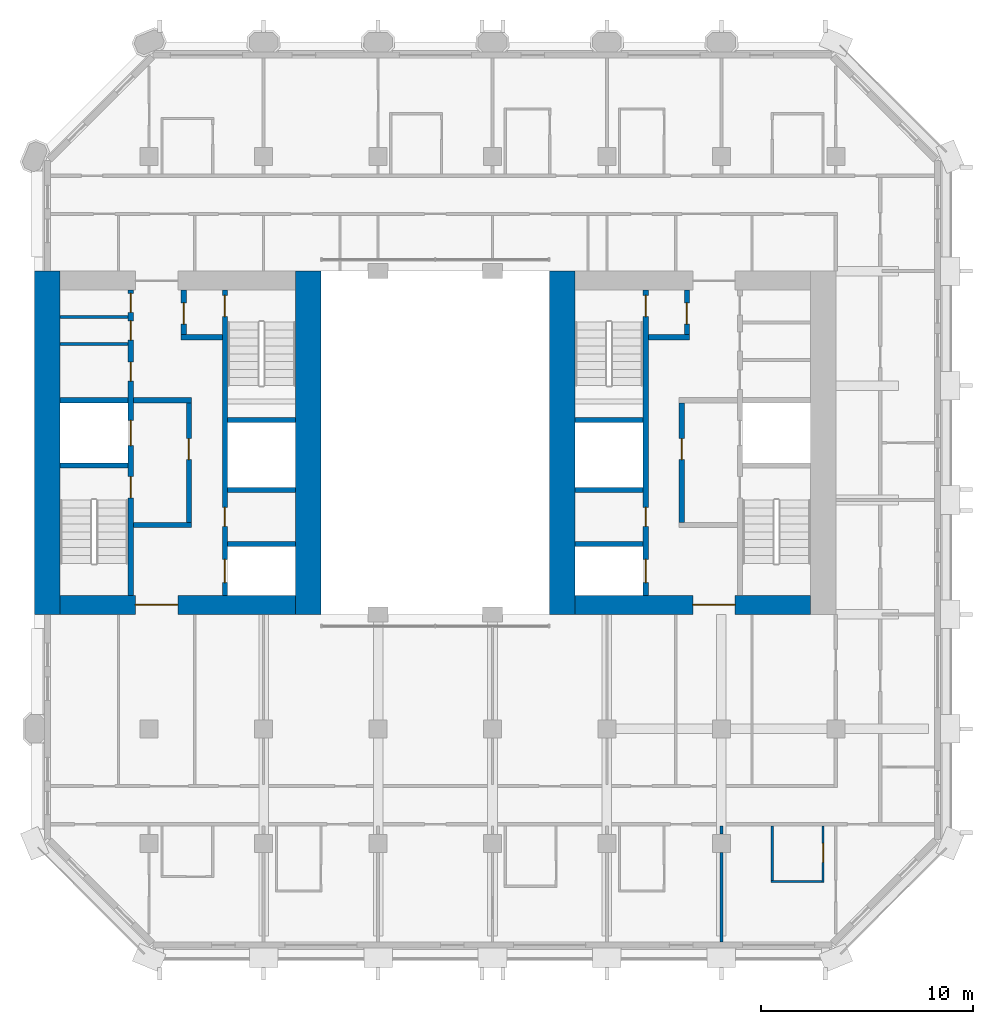
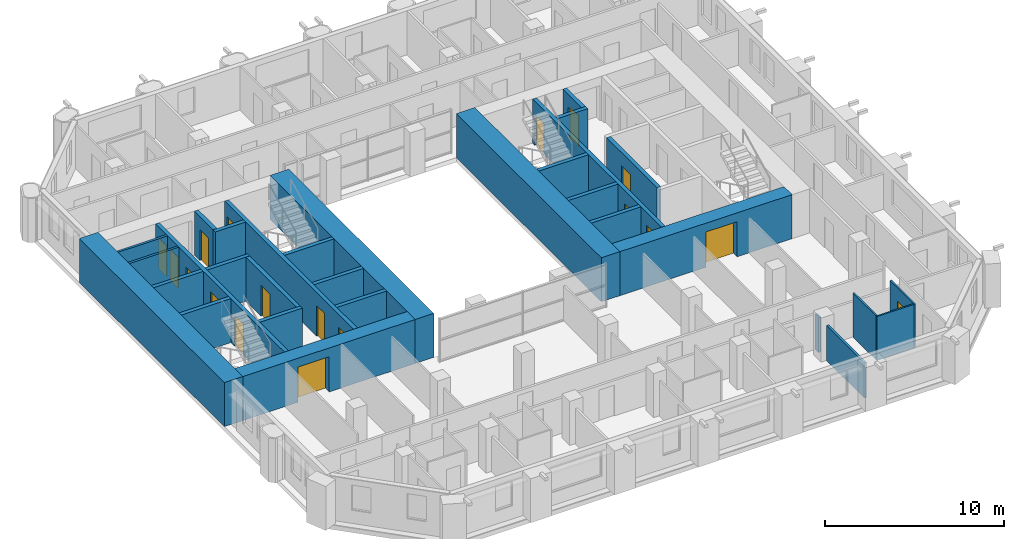
# One storey, part 7 of 13: 31 walls, 18 doors, 18 openings.
"""IFC4 building model written with IfcOpenShell, lengths in metres."""

from ifc_helpers import new_model, si_unit, direction, frame, frame_2d, origin, place, context, subcontext, project, spatial, rectangle, extrude, material, layer, layer_set, type_object, element, fill, save


model = new_model("IFC4")

# Units and contexts
model_context = context("Model", 3, precision=1e-05, world=origin(), true_north=direction((0.0, 1.0)))
body_context = subcontext(model_context, "Body", "Model", "MODEL_VIEW")
ifc_project = project(units=[si_unit("LENGTHUNIT", "METRE"), si_unit("AREAUNIT", "SQUARE_METRE"), si_unit("VOLUMEUNIT", "CUBIC_METRE"), si_unit("PLANEANGLEUNIT", "RADIAN"), si_unit("MASSUNIT", "GRAM", prefix="KILO")], contexts=[model_context])

# Site, building, storey
site_placement = place(None, origin())
site = spatial("IfcSite", under=ifc_project, at=site_placement, CompositionType="ELEMENT")
building_placement = place(site_placement, origin())
building = spatial("IfcBuilding", under=site, at=building_placement, Name="Tabaq Tower and Sports Hall", CompositionType="ELEMENT")
storey_placement = place(building_placement, frame((0.0, 0.0, 162.699951171875)))
storey = spatial("IfcBuildingStorey", under=building, at=storey_placement, Name="L38", CompositionType="ELEMENT", Elevation=162.699951171875)

# Walls
ifc_material_1 = material(Name="Blockwork", Category="masonry")
ifc_layer_1 = layer(ifc_material_1, 0.14990234375)
ifc_layer_set_1 = layer_set([ifc_layer_1], Name="Core room partition 150 Blockwork")
wall_type_1 = type_object("IfcWallType", Name="Core room partition 150 Blockwork", PredefinedType="PARTITIONING", material=ifc_layer_set_1)
for number, where, z_axis, x_axis, name in (
    (1, (6.60009765625, 28.962890625, 0.0), (0.0, 0.0, 1.0), (1.0, 0.0, 0.0), "Core room partition W L38"),
    (2, (6.60009765625, 30.23193359375, 0.0), (0.0, 0.0, 1.0), (1.0, 0.0, 0.0), "Core room partition W L38"),
):
    element("IfcWall", number, at=place(storey_placement, frame(where, z_axis=z_axis, x_axis=x_axis)), inside=storey, type_object=wall_type_1, Name=name, PredefinedType="PARTITIONING", context=body_context, shape_type="SweptSolid", body=[
        extrude(rectangle(XDim=3.199951171875, YDim=0.14990234375, at=frame_2d((1.60009765625, 0.0))), origin(), (0.0, 0.0, 1.0), 3.0),
    ])
ifc_material_2 = material(Name="Concrete C50/60", Category="concrete")
ifc_layer_2 = layer(ifc_material_2, 1.199951171875)
ifc_layer_set_2 = layer_set([ifc_layer_2], Name="Core wall 1200 Concrete C50/60")
wall_type_2 = type_object("IfcWallType", Name="Core wall 1200 Concrete C50/60", PredefinedType="SOLIDWALL", material=ifc_layer_set_2)
for number, where, z_axis, x_axis, name in (
    (3, (6.0, 16.199951171875, 0.0), (0.0, 0.0, 1.0), (0.0, 1.0, 0.0), "Core wall W L38"),
    (4, (18.300048828125, 32.39990234375, 0.0), (0.0, 0.0, 1.0), (0.0, -1.0, 0.0), "Core wall W L38"),
    (5, (30.300048828125, 16.199951171875, 0.0), (0.0, 0.0, 1.0), (0.0, 1.0, 0.0), "Core wall E L38"),
):
    element("IfcWall", number, at=place(storey_placement, frame(where, z_axis=z_axis, x_axis=x_axis)), inside=storey, type_object=wall_type_2, Name=name, PredefinedType="SOLIDWALL", context=body_context, shape_type="SweptSolid", body=[
        extrude(rectangle(XDim=16.199951171875, YDim=1.199951171875, at=frame_2d((8.10009765625, 0.0))), origin(), (0.0, 0.0, 1.0), 3.0),
    ])

# Wall, opening, door
ifc_material_3 = material(Name="Concrete C50/60", Category="concrete")
ifc_layer_3 = layer(ifc_material_3, 0.89990234375)
ifc_layer_set_3 = layer_set([ifc_layer_3], Name="Core wall 900 Concrete C50/60")
wall_type_3 = type_object("IfcWallType", Name="Core wall 900 Concrete C50/60", PredefinedType="SOLIDWALL", material=ifc_layer_set_3)
wall_1_placement = place(storey_placement, frame((17.699951171875, 16.64990234375, 0.0), z_axis=(0.0, 0.0, 1.0), x_axis=(-1.0, 0.0, 0.0)))
wall_1 = element("IfcWall", 6, at=wall_1_placement, inside=storey, type_object=wall_type_3, Name="Core wall W L38", PredefinedType="SOLIDWALL", context=body_context, shape_type="SweptSolid", body=[
    extrude(rectangle(XDim=11.099853515625, YDim=0.89990234375, at=frame_2d((5.5498046875, 0.0))), origin(), (0.0, 0.0, 1.0), 3.0),
])
opening_1_placement = place(wall_1_placement, frame((5.550048828125, 0.0, 0.0)))
opening_1 = element("IfcOpeningElement", 7, at=opening_1_placement, cuts=wall_1, Name="Opening PD-WL38-01", PredefinedType="OPENING", context=body_context, shape_type="SweptSolid", body=[
    extrude(rectangle(XDim=2.0, YDim=2.39990234375, at=frame_2d((1.0, 1.199951171875))), frame((0.0, 0.449951171875, 0.0), z_axis=(0.0, -1.0, 0.0), x_axis=(1.0, 0.0, 0.0)), (0.0, 0.0, 1.0), 0.89990234375),
])
ifc_material_4 = material(Name="Steel fire door", Category="steel")
door_type_1 = type_object("IfcDoorType", Name="Core entrance door 2000", OperationType="DOUBLE_DOOR_SINGLE_SWING", PredefinedType="DOOR", material=ifc_material_4)
door_1_placement = place(opening_1_placement, origin())
door_1 = element("IfcDoor", 8, at=door_1_placement, inside=storey, type_object=door_type_1, Name="Core entrance south W L38", OperationType="DOUBLE_DOOR_SINGLE_SWING", OverallHeight=2.39990234375, OverallWidth=2.0, PredefinedType="DOOR", context=body_context, shape_type="SweptSolid", body=[
    extrude(rectangle(XDim=2.0, YDim=2.39990234375, at=frame_2d((1.0, 1.199951171875))), frame((0.0, 0.02490234375, 0.0), z_axis=(0.0, -1.0, 0.0), x_axis=(1.0, 0.0, 0.0)), (0.0, 0.0, 1.0), 0.050048828125),
])
fill(opening_1, door_1)

wall_2_placement = place(storey_placement, frame((42.0, 16.64990234375, 0.0), z_axis=(0.0, 0.0, 1.0), x_axis=(-1.0, 0.0, 0.0)))
wall_2 = element("IfcWall", 9, at=wall_2_placement, inside=storey, type_object=wall_type_3, Name="Core wall E L38", PredefinedType="SOLIDWALL", context=body_context, shape_type="SweptSolid", body=[
    extrude(rectangle(XDim=11.10009765625, YDim=0.89990234375, at=frame_2d((5.550048828125, 0.0))), origin(), (0.0, 0.0, 1.0), 3.0),
])
opening_2_placement = place(wall_2_placement, frame((3.550048828125, 0.0, 0.0)))
opening_2 = element("IfcOpeningElement", 10, at=opening_2_placement, cuts=wall_2, Name="Opening PD-EL38-01", PredefinedType="OPENING", context=body_context, shape_type="SweptSolid", body=[
    extrude(rectangle(XDim=2.0, YDim=2.39990234375, at=frame_2d((1.0, 1.199951171875))), frame((0.0, 0.449951171875, 0.0), z_axis=(0.0, -1.0, 0.0), x_axis=(1.0, 0.0, 0.0)), (0.0, 0.0, 1.0), 0.89990234375),
])
door_2_placement = place(opening_2_placement, origin())
door_2 = element("IfcDoor", 11, at=door_2_placement, inside=storey, type_object=door_type_1, Name="Core entrance south E L38", OperationType="DOUBLE_DOOR_SINGLE_SWING", OverallHeight=2.39990234375, OverallWidth=2.0, PredefinedType="DOOR", context=body_context, shape_type="SweptSolid", body=[
    extrude(rectangle(XDim=2.0, YDim=2.39990234375, at=frame_2d((1.0, 1.199951171875))), frame((0.0, 0.02490234375, 0.0), z_axis=(0.0, -1.0, 0.0), x_axis=(1.0, 0.0, 0.0)), (0.0, 0.0, 1.0), 0.050048828125),
])
fill(opening_2, door_2)

ifc_material_5 = material(Name="Gypsum board on steel studs", Category="steel")
ifc_layer_4 = layer(ifc_material_5, 0.10009765625)
ifc_layer_set_4 = layer_set([ifc_layer_4], Name="Partition 100 Gypsum board")
wall_type_4 = type_object("IfcWallType", Name="Partition 100 Gypsum board", PredefinedType="PARTITIONING", material=ifc_layer_set_4)
wall_3_placement = place(storey_placement, frame((42.60009765625, 6.22509765625, 0.0), z_axis=(0.0, 0.0, 1.0), x_axis=(0.0, -1.0, 0.0)))
wall_3 = element("IfcWall", 12, at=wall_3_placement, inside=storey, type_object=wall_type_4, Name="Partition wall L38", PredefinedType="PARTITIONING", context=body_context, shape_type="SweptSolid", body=[
    extrude(rectangle(XDim=2.675048828125, YDim=0.10009765625, at=frame_2d((1.33740234375, 0.0))), origin(), (0.0, 0.0, 1.0), 3.0),
])
opening_3_placement = place(wall_3_placement, frame((0.824951171875, 0.0, 0.0)))
opening_3 = element("IfcOpeningElement", 13, at=opening_3_placement, cuts=wall_3, Name="Opening L38-020", PredefinedType="OPENING", context=body_context, shape_type="SweptSolid", body=[
    extrude(rectangle(XDim=0.89990234375, YDim=2.10009765625, at=frame_2d((0.449951171875, 1.050048828125))), frame((0.0, 0.050048828125, 0.0), z_axis=(0.0, -1.0, 0.0), x_axis=(1.0, 0.0, 0.0)), (0.0, 0.0, 1.0), 0.10009765625),
])
ifc_material_6 = material(Name="Timber leaf in steel frame", Category="steel")
door_type_2 = type_object("IfcDoorType", Name="Internal door 900 left hand", OperationType="SINGLE_SWING_LEFT", PredefinedType="DOOR", material=ifc_material_6)
door_3_placement = place(opening_3_placement, origin())
door_3 = element("IfcDoor", 14, at=door_3_placement, inside=storey, type_object=door_type_2, Name="Internal door L38-020", OperationType="SINGLE_SWING_LEFT", OverallHeight=2.10009765625, OverallWidth=0.89990234375, PredefinedType="DOOR", context=body_context, shape_type="SweptSolid", body=[
    extrude(rectangle(XDim=0.89990234375, YDim=2.10009765625, at=frame_2d((0.449951171875, 1.050048828125))), frame((0.0, 0.02490234375, 0.0), z_axis=(0.0, -1.0, 0.0), x_axis=(1.0, 0.0, 0.0)), (0.0, 0.0, 1.0), 0.050048828125),
])
fill(opening_3, door_3)

# Walls
wall_4_placement = place(storey_placement, frame((42.550048828125, 3.60009765625, 0.0), z_axis=(0.0, 0.0, 1.0), x_axis=(-1.0, 0.0, 0.0)))
element("IfcWall", 15, at=wall_4_placement, inside=storey, type_object=wall_type_4, Name="Partition wall L38", PredefinedType="PARTITIONING", context=body_context, shape_type="SweptSolid", body=[
    extrude(rectangle(XDim=2.400146484375, YDim=0.10009765625, at=frame_2d((1.2001953125, 0.0))), origin(), (0.0, 0.0, 1.0), 3.0),
])
wall_5_placement = place(storey_placement, frame((40.199951171875, 3.64990234375, 0.0), z_axis=(0.0, 0.0, 1.0), x_axis=(0.0, 1.0, 0.0)))
element("IfcWall", 16, at=wall_5_placement, inside=storey, type_object=wall_type_4, Name="Partition wall L38", PredefinedType="PARTITIONING", context=body_context, shape_type="SweptSolid", body=[
    extrude(rectangle(XDim=2.5751953125, YDim=0.10009765625, at=frame_2d((1.28759765625, 0.0))), origin(), (0.0, 0.0, 1.0), 3.0),
])
ifc_material_7 = material(Name="Blockwork", Category="masonry")
ifc_layer_5 = layer(ifc_material_7, 0.14990234375)
ifc_layer_set_5 = layer_set([ifc_layer_5], Name="Separating wall 150 Blockwork")
wall_type_5 = type_object("IfcWallType", Name="Separating wall 150 Blockwork", PredefinedType="PARTITIONING", material=ifc_layer_set_5)
wall_6_placement = place(storey_placement, frame((37.800048828125, 0.7509765625, 0.0), z_axis=(0.0, 0.0, 1.0), x_axis=(0.0, 1.0, 0.0)))
element("IfcWall", 17, at=wall_6_placement, inside=storey, type_object=wall_type_5, Name="Separating wall L38", PredefinedType="PARTITIONING", context=body_context, shape_type="SweptSolid", body=[
    extrude(rectangle(XDim=4.2041015625, YDim=0.14990234375, at=frame_2d((2.10205078125, 0.0))), origin(), (0.0, 0.0, 1.0), 2.400146484375),
])
wall_7_placement = place(storey_placement, frame((37.800048828125, 5.844970703125, 0.0), z_axis=(0.0, 0.0, 1.0), x_axis=(0.0, 1.0, 0.0)))
element("IfcWall", 18, at=wall_7_placement, inside=storey, type_object=wall_type_5, Name="Separating wall L38", PredefinedType="PARTITIONING", context=body_context, shape_type="SweptSolid", body=[
    extrude(rectangle(XDim=0.380126953125, YDim=0.14990234375, at=frame_2d((0.18994140625, 0.0))), origin(), (0.0, 0.0, 1.0), 2.400146484375),
])

# Wall, openings, doors
ifc_material_8 = material(Name="Concrete C40/50", Category="concrete")
ifc_layer_6 = layer(ifc_material_8, 0.25)
ifc_layer_set_6 = layer_set([ifc_layer_6], Name="Shaft and stair wall 250 Concrete C40/50")
wall_type_6 = type_object("IfcWallType", Name="Shaft and stair wall 250 Concrete C40/50", PredefinedType="SOLIDWALL", material=ifc_layer_set_6)
wall_8_placement = place(storey_placement, frame((9.925048828125, 17.10009765625, 0.0), z_axis=(0.0, 0.0, 1.0), x_axis=(0.0, 1.0, 0.0)))
wall_8 = element("IfcWall", 19, at=wall_8_placement, inside=storey, type_object=wall_type_6, Name="Shaft wall W L38", PredefinedType="SOLIDWALL", context=body_context, shape_type="SweptSolid", body=[
    extrude(rectangle(XDim=14.39990234375, YDim=0.25, at=frame_2d((7.199951171875, 0.0))), origin(), (0.0, 0.0, 1.0), 3.0),
])
opening_4_placement = place(wall_8_placement, frame((4.60009765625, 0.0, 0.0)))
opening_4 = element("IfcOpeningElement", 20, at=opening_4_placement, cuts=wall_8, Name="Opening SD-WL38-03", PredefinedType="OPENING", context=body_context, shape_type="SweptSolid", body=[
    extrude(rectangle(XDim=1.0, YDim=2.10009765625, at=frame_2d((0.5, 1.050048828125))), frame((0.0, 0.125, 0.0), z_axis=(0.0, -1.0, 0.0), x_axis=(1.0, 0.0, 0.0)), (0.0, 0.0, 1.0), 0.25),
])
opening_5_placement = place(wall_8_placement, frame((7.0625, 0.0, 0.0)))
opening_5 = element("IfcOpeningElement", 21, at=opening_5_placement, cuts=wall_8, Name="Opening LD-FF1-L38", PredefinedType="OPENING", context=body_context, shape_type="SweptSolid", body=[
    extrude(rectangle(XDim=1.199951171875, YDim=2.10009765625, at=frame_2d((0.60009765625, 1.050048828125))), frame((0.0, 0.125, 0.0), z_axis=(0.0, -1.0, 0.0), x_axis=(1.0, 0.0, 0.0)), (0.0, 0.0, 1.0), 0.25),
])
opening_6_placement = place(wall_8_placement, frame((10.1064453125, 0.0, 0.0)))
opening_6 = element("IfcOpeningElement", 22, at=opening_6_placement, cuts=wall_8, Name="Opening RD-WL38-09", PredefinedType="OPENING", context=body_context, shape_type="SweptSolid", body=[
    extrude(rectangle(XDim=0.89990234375, YDim=2.10009765625, at=frame_2d((0.449951171875, 1.050048828125))), frame((0.0, 0.125, 0.0), z_axis=(0.0, -1.0, 0.0), x_axis=(1.0, 0.0, 0.0)), (0.0, 0.0, 1.0), 0.25),
])
opening_7_placement = place(wall_8_placement, frame((12.047607421875, 0.0, 0.0)))
opening_7 = element("IfcOpeningElement", 23, at=opening_7_placement, cuts=wall_8, Name="Opening RD-WL38-10", PredefinedType="OPENING", context=body_context, shape_type="SweptSolid", body=[
    extrude(rectangle(XDim=0.89990234375, YDim=2.10009765625, at=frame_2d((0.449951171875, 1.050048828125))), frame((0.0, 0.125, 0.0), z_axis=(0.0, -1.0, 0.0), x_axis=(1.0, 0.0, 0.0)), (0.0, 0.0, 1.0), 0.25),
])
opening_8_placement = place(wall_8_placement, frame((13.353515625, 0.0, 0.0)))
opening_8 = element("IfcOpeningElement", 24, at=opening_8_placement, cuts=wall_8, Name="Opening RD-WL38-11", PredefinedType="OPENING", context=body_context, shape_type="SweptSolid", body=[
    extrude(rectangle(XDim=0.89990234375, YDim=2.10009765625, at=frame_2d((0.449951171875, 1.050048828125))), frame((0.0, 0.125, 0.0), z_axis=(0.0, -1.0, 0.0), x_axis=(1.0, 0.0, 0.0)), (0.0, 0.0, 1.0), 0.25),
])
ifc_material_9 = material(Name="Steel fire door", Category="steel")
door_type_3 = type_object("IfcDoorType", Name="Core room door 900", OperationType="SINGLE_SWING_LEFT", PredefinedType="DOOR", material=ifc_material_9)
door_4_placement = place(opening_6_placement, origin())
door_4 = element("IfcDoor", 25, at=door_4_placement, inside=storey, type_object=door_type_3, Name="Door Unisex WC W L38", OperationType="SINGLE_SWING_LEFT", OverallHeight=2.10009765625, OverallWidth=0.89990234375, PredefinedType="DOOR", context=body_context, shape_type="SweptSolid", body=[
    extrude(rectangle(XDim=0.89990234375, YDim=2.10009765625, at=frame_2d((0.449951171875, 1.050048828125))), frame((0.0, 0.02490234375, 0.0), z_axis=(0.0, -1.0, 0.0), x_axis=(1.0, 0.0, 0.0)), (0.0, 0.0, 1.0), 0.050048828125),
])
fill(opening_6, door_4)
door_5_placement = place(opening_7_placement, origin())
door_5 = element("IfcDoor", 26, at=door_5_placement, inside=storey, type_object=door_type_3, Name="Door Cleaner's Store W L38", OperationType="SINGLE_SWING_LEFT", OverallHeight=2.10009765625, OverallWidth=0.89990234375, PredefinedType="DOOR", context=body_context, shape_type="SweptSolid", body=[
    extrude(rectangle(XDim=0.89990234375, YDim=2.10009765625, at=frame_2d((0.449951171875, 1.050048828125))), frame((0.0, 0.02490234375, 0.0), z_axis=(0.0, -1.0, 0.0), x_axis=(1.0, 0.0, 0.0)), (0.0, 0.0, 1.0), 0.050048828125),
])
fill(opening_7, door_5)
door_6_placement = place(opening_8_placement, origin())
door_6 = element("IfcDoor", 27, at=door_6_placement, inside=storey, type_object=door_type_3, Name="Door Accessible WC W L38", OperationType="SINGLE_SWING_LEFT", OverallHeight=2.10009765625, OverallWidth=0.89990234375, PredefinedType="DOOR", context=body_context, shape_type="SweptSolid", body=[
    extrude(rectangle(XDim=0.89990234375, YDim=2.10009765625, at=frame_2d((0.449951171875, 1.050048828125))), frame((0.0, 0.02490234375, 0.0), z_axis=(0.0, -1.0, 0.0), x_axis=(1.0, 0.0, 0.0)), (0.0, 0.0, 1.0), 0.050048828125),
])
fill(opening_8, door_6)
ifc_material_10 = material(Name="Stainless steel", Category="steel")
door_type_4 = type_object("IfcDoorType", Name="Lift landing door 1200", OperationType="DOUBLE_DOOR_SLIDING", PredefinedType="DOOR", material=ifc_material_10)
door_7_placement = place(opening_5_placement, origin())
door_7 = element("IfcDoor", 28, at=door_7_placement, inside=storey, type_object=door_type_4, Name="Lift landing door FF1 W L38", OperationType="DOUBLE_DOOR_SLIDING", OverallHeight=2.10009765625, OverallWidth=1.199951171875, PredefinedType="DOOR", context=body_context, shape_type="SweptSolid", body=[
    extrude(rectangle(XDim=1.199951171875, YDim=2.10009765625, at=frame_2d((0.60009765625, 1.050048828125))), frame((0.0, 0.02490234375, 0.0), z_axis=(0.0, -1.0, 0.0), x_axis=(1.0, 0.0, 0.0)), (0.0, 0.0, 1.0), 0.050048828125),
])
fill(opening_5, door_7)
ifc_material_11 = material(Name="Steel fire door", Category="steel")
door_type_5 = type_object("IfcDoorType", Name="Stair door 1000", OperationType="SINGLE_SWING_LEFT", PredefinedType="DOOR", material=ifc_material_11)
door_8_placement = place(opening_4_placement, origin())
door_8 = element("IfcDoor", 29, at=door_8_placement, inside=storey, type_object=door_type_5, Name="Stair door ST1 W L38", OperationType="SINGLE_SWING_LEFT", OverallHeight=2.10009765625, OverallWidth=1.0, PredefinedType="DOOR", context=body_context, shape_type="SweptSolid", body=[
    extrude(rectangle(XDim=1.0, YDim=2.10009765625, at=frame_2d((0.5, 1.050048828125))), frame((0.0, 0.02490234375, 0.0), z_axis=(0.0, -1.0, 0.0), x_axis=(1.0, 0.0, 0.0)), (0.0, 0.0, 1.0), 0.050048828125),
])
fill(opening_4, door_8)

wall_9_placement = place(storey_placement, frame((14.375, 17.10009765625, 0.0), z_axis=(0.0, 0.0, 1.0), x_axis=(0.0, 1.0, 0.0)))
wall_9 = element("IfcWall", 30, at=wall_9_placement, inside=storey, type_object=wall_type_6, Name="Shaft wall W L38", PredefinedType="SOLIDWALL", context=body_context, shape_type="SweptSolid", body=[
    extrude(rectangle(XDim=14.39990234375, YDim=0.25, at=frame_2d((7.199951171875, 0.0))), origin(), (0.0, 0.0, 1.0), 3.0),
])
opening_9_placement = place(wall_9_placement, frame((13.14990234375, 0.0, 0.0)))
opening_9 = element("IfcOpeningElement", 31, at=opening_9_placement, cuts=wall_9, Name="Opening SD-WL38-05", PredefinedType="OPENING", context=body_context, shape_type="SweptSolid", body=[
    extrude(rectangle(XDim=1.0, YDim=2.10009765625, at=frame_2d((0.5, 1.050048828125))), frame((0.0, 0.125, 0.0), z_axis=(0.0, -1.0, 0.0), x_axis=(1.0, 0.0, 0.0)), (0.0, 0.0, 1.0), 0.25),
])
opening_10_placement = place(wall_9_placement, frame((0.60009765625, 0.0, 0.0)))
opening_10 = element("IfcOpeningElement", 32, at=opening_10_placement, cuts=wall_9, Name="Opening LD-MR1-L38", PredefinedType="OPENING", context=body_context, shape_type="SweptSolid", body=[
    extrude(rectangle(XDim=1.10009765625, YDim=2.10009765625, at=frame_2d((0.550048828125, 1.050048828125))), frame((0.0, 0.125, 0.0), z_axis=(0.0, -1.0, 0.0), x_axis=(1.0, 0.0, 0.0)), (0.0, 0.0, 1.0), 0.25),
])
opening_11_placement = place(wall_9_placement, frame((3.25, 0.0, 0.0)))
opening_11 = element("IfcOpeningElement", 33, at=opening_11_placement, cuts=wall_9, Name="Opening RD-WL38-12", PredefinedType="OPENING", context=body_context, shape_type="SweptSolid", body=[
    extrude(rectangle(XDim=0.89990234375, YDim=2.10009765625, at=frame_2d((0.449951171875, 1.050048828125))), frame((0.0, 0.125, 0.0), z_axis=(0.0, -1.0, 0.0), x_axis=(1.0, 0.0, 0.0)), (0.0, 0.0, 1.0), 0.25),
])
door_9_placement = place(opening_11_placement, origin())
door_9 = element("IfcDoor", 34, at=door_9_placement, inside=storey, type_object=door_type_3, Name="Door Cleaner's Store W L38", OperationType="SINGLE_SWING_LEFT", OverallHeight=2.10009765625, OverallWidth=0.89990234375, PredefinedType="DOOR", context=body_context, shape_type="SweptSolid", body=[
    extrude(rectangle(XDim=0.89990234375, YDim=2.10009765625, at=frame_2d((0.449951171875, 1.050048828125))), frame((0.0, 0.02490234375, 0.0), z_axis=(0.0, -1.0, 0.0), x_axis=(1.0, 0.0, 0.0)), (0.0, 0.0, 1.0), 0.050048828125),
])
fill(opening_11, door_9)
ifc_material_12 = material(Name="Stainless steel", Category="steel")
door_type_6 = type_object("IfcDoorType", Name="Lift landing door 1100", OperationType="DOUBLE_DOOR_SLIDING", PredefinedType="DOOR", material=ifc_material_12)
door_10_placement = place(opening_10_placement, origin())
door_10 = element("IfcDoor", 35, at=door_10_placement, inside=storey, type_object=door_type_6, Name="Lift landing door MR1 W L38", OperationType="DOUBLE_DOOR_SLIDING", OverallHeight=2.10009765625, OverallWidth=1.10009765625, PredefinedType="DOOR", context=body_context, shape_type="SweptSolid", body=[
    extrude(rectangle(XDim=1.10009765625, YDim=2.10009765625, at=frame_2d((0.550048828125, 1.050048828125))), frame((0.0, 0.02490234375, 0.0), z_axis=(0.0, -1.0, 0.0), x_axis=(1.0, 0.0, 0.0)), (0.0, 0.0, 1.0), 0.050048828125),
])
fill(opening_10, door_10)
door_11_placement = place(opening_9_placement, origin())
door_11 = element("IfcDoor", 36, at=door_11_placement, inside=storey, type_object=door_type_5, Name="Stair door ST2 W L38", OperationType="SINGLE_SWING_LEFT", OverallHeight=2.10009765625, OverallWidth=1.0, PredefinedType="DOOR", context=body_context, shape_type="SweptSolid", body=[
    extrude(rectangle(XDim=1.0, YDim=2.10009765625, at=frame_2d((0.5, 1.050048828125))), frame((0.0, 0.02490234375, 0.0), z_axis=(0.0, -1.0, 0.0), x_axis=(1.0, 0.0, 0.0)), (0.0, 0.0, 1.0), 0.050048828125),
])
fill(opening_9, door_11)

# Walls
for number, where, z_axis, x_axis, name in (
    (37, (6.60009765625, 23.22509765625, 0.0), (0.0, 0.0, 1.0), (1.0, 0.0, 0.0), "Stair enclosure wall W L38"),
    (38, (14.5, 25.375, 0.0), (0.0, 0.0, 1.0), (1.0, 0.0, 0.0), "Stair enclosure wall W L38"),
    (39, (14.5, 22.074951171875, 0.0), (0.0, 0.0, 1.0), (1.0, 0.0, 0.0), "Shaft wall W L38"),
    (40, (6.60009765625, 26.300048828125, 0.0), (0.0, 0.0, 1.0), (1.0, 0.0, 0.0), "Shaft wall W L38"),
):
    element("IfcWall", number, at=place(storey_placement, frame(where, z_axis=z_axis, x_axis=x_axis)), inside=storey, type_object=wall_type_6, Name=name, PredefinedType="SOLIDWALL", context=body_context, shape_type="SweptSolid", body=[
        extrude(rectangle(XDim=3.199951171875, YDim=0.25, at=frame_2d((1.60009765625, 0.0))), origin(), (0.0, 0.0, 1.0), 3.0),
    ])
for number, where, z_axis, x_axis, name in (
    (41, (10.050048828125, 26.300048828125, 0.0), (0.0, 0.0, 1.0), (1.0, 0.0, 0.0), "Fire-fighting lobby wall W L38"),
    (42, (10.050048828125, 20.425048828125, 0.0), (0.0, 0.0, 1.0), (1.0, 0.0, 0.0), "Fire-fighting lobby wall W L38"),
):
    element("IfcWall", number, at=place(storey_placement, frame(where, z_axis=z_axis, x_axis=x_axis)), inside=storey, type_object=wall_type_6, Name=name, PredefinedType="SOLIDWALL", context=body_context, shape_type="SweptSolid", body=[
        extrude(rectangle(XDim=2.75, YDim=0.25, at=frame_2d((1.375, 0.0))), origin(), (0.0, 0.0, 1.0), 3.0),
    ])

# Wall, opening, door
wall_10_placement = place(storey_placement, frame((12.425048828125, 29.39990234375, 0.0), z_axis=(0.0, 0.0, 1.0), x_axis=(0.0, 1.0, 0.0)))
wall_10 = element("IfcWall", 43, at=wall_10_placement, inside=storey, type_object=wall_type_6, Name="Fire-fighting lobby wall W L38", PredefinedType="SOLIDWALL", context=body_context, shape_type="SweptSolid", body=[
    extrude(rectangle(XDim=2.10009765625, YDim=0.25, at=frame_2d((1.050048828125, 0.0))), origin(), (0.0, 0.0, 1.0), 3.0),
])
opening_12_placement = place(wall_10_placement, frame((0.5, 0.0, 0.0)))
opening_12 = element("IfcOpeningElement", 44, at=opening_12_placement, cuts=wall_10, Name="Opening FD-WL38-06", PredefinedType="OPENING", context=body_context, shape_type="SweptSolid", body=[
    extrude(rectangle(XDim=1.0, YDim=2.10009765625, at=frame_2d((0.5, 1.050048828125))), frame((0.0, 0.125, 0.0), z_axis=(0.0, -1.0, 0.0), x_axis=(1.0, 0.0, 0.0)), (0.0, 0.0, 1.0), 0.25),
])
ifc_material_13 = material(Name="Steel fire door", Category="steel")
door_type_7 = type_object("IfcDoorType", Name="Fire-fighting lobby door 1000", OperationType="SINGLE_SWING_LEFT", PredefinedType="DOOR", material=ifc_material_13)
door_12_placement = place(opening_12_placement, origin())
door_12 = element("IfcDoor", 45, at=door_12_placement, inside=storey, type_object=door_type_7, Name="Stair lobby door W L38", OperationType="SINGLE_SWING_LEFT", OverallHeight=2.10009765625, OverallWidth=1.0, PredefinedType="DOOR", context=body_context, shape_type="SweptSolid", body=[
    extrude(rectangle(XDim=1.0, YDim=2.10009765625, at=frame_2d((0.5, 1.050048828125))), frame((0.0, 0.02490234375, 0.0), z_axis=(0.0, -1.0, 0.0), x_axis=(1.0, 0.0, 0.0)), (0.0, 0.0, 1.0), 0.050048828125),
])
fill(opening_12, door_12)

# Wall
wall_11_placement = place(storey_placement, frame((12.300048828125, 29.27490234375, 0.0), z_axis=(0.0, 0.0, 1.0), x_axis=(1.0, 0.0, 0.0)))
element("IfcWall", 46, at=wall_11_placement, inside=storey, type_object=wall_type_6, Name="Fire-fighting lobby wall W L38", PredefinedType="SOLIDWALL", context=body_context, shape_type="SweptSolid", body=[
    extrude(rectangle(XDim=1.949951171875, YDim=0.25, at=frame_2d((0.97509765625, 0.0))), origin(), (0.0, 0.0, 1.0), 3.0),
])

# Wall, opening, door
wall_12_placement = place(storey_placement, frame((12.675048828125, 20.550048828125, 0.0), z_axis=(0.0, 0.0, 1.0), x_axis=(0.0, 1.0, 0.0)))
wall_12 = element("IfcWall", 47, at=wall_12_placement, inside=storey, type_object=wall_type_6, Name="Fire-fighting lobby wall W L38", PredefinedType="SOLIDWALL", context=body_context, shape_type="SweptSolid", body=[
    extrude(rectangle(XDim=5.625, YDim=0.25, at=frame_2d((2.8125, 0.0))), origin(), (0.0, 0.0, 1.0), 3.0),
])
opening_13_placement = place(wall_12_placement, frame((2.949951171875, 0.0, 0.0)))
opening_13 = element("IfcOpeningElement", 48, at=opening_13_placement, cuts=wall_12, Name="Opening FD-WL38-04", PredefinedType="OPENING", context=body_context, shape_type="SweptSolid", body=[
    extrude(rectangle(XDim=1.0, YDim=2.10009765625, at=frame_2d((0.5, 1.050048828125))), frame((0.0, 0.125, 0.0), z_axis=(0.0, -1.0, 0.0), x_axis=(1.0, 0.0, 0.0)), (0.0, 0.0, 1.0), 0.25),
])
door_13_placement = place(opening_13_placement, origin())
door_13 = element("IfcDoor", 49, at=door_13_placement, inside=storey, type_object=door_type_7, Name="Fire-fighting lobby door W L38", OperationType="SINGLE_SWING_LEFT", OverallHeight=2.10009765625, OverallWidth=1.0, PredefinedType="DOOR", context=body_context, shape_type="SweptSolid", body=[
    extrude(rectangle(XDim=1.0, YDim=2.10009765625, at=frame_2d((0.5, 1.050048828125))), frame((0.0, 0.02490234375, 0.0), z_axis=(0.0, -1.0, 0.0), x_axis=(1.0, 0.0, 0.0)), (0.0, 0.0, 1.0), 0.050048828125),
])
fill(opening_13, door_13)

# Wall
wall_13_placement = place(storey_placement, frame((14.5, 19.52490234375, 0.0), z_axis=(0.0, 0.0, 1.0), x_axis=(1.0, 0.0, 0.0)))
element("IfcWall", 50, at=wall_13_placement, inside=storey, type_object=wall_type_6, Name="Shaft wall W L38", PredefinedType="SOLIDWALL", context=body_context, shape_type="SweptSolid", body=[
    extrude(rectangle(XDim=3.199951171875, YDim=0.25, at=frame_2d((1.60009765625, 0.0))), origin(), (0.0, 0.0, 1.0), 3.0),
])

# Wall, openings, doors
wall_14_placement = place(storey_placement, frame((34.22509765625, 17.10009765625, 0.0), z_axis=(0.0, 0.0, 1.0), x_axis=(0.0, 1.0, 0.0)))
wall_14 = element("IfcWall", 51, at=wall_14_placement, inside=storey, type_object=wall_type_6, Name="Shaft wall E L38", PredefinedType="SOLIDWALL", context=body_context, shape_type="SweptSolid", body=[
    extrude(rectangle(XDim=14.39990234375, YDim=0.25, at=frame_2d((7.199951171875, 0.0))), origin(), (0.0, 0.0, 1.0), 3.0),
])
opening_14_placement = place(wall_14_placement, frame((13.14990234375, 0.0, 0.0)))
opening_14 = element("IfcOpeningElement", 52, at=opening_14_placement, cuts=wall_14, Name="Opening SD-EL38-05", PredefinedType="OPENING", context=body_context, shape_type="SweptSolid", body=[
    extrude(rectangle(XDim=1.0, YDim=2.10009765625, at=frame_2d((0.5, 1.050048828125))), frame((0.0, 0.125, 0.0), z_axis=(0.0, -1.0, 0.0), x_axis=(1.0, 0.0, 0.0)), (0.0, 0.0, 1.0), 0.25),
])
opening_15_placement = place(wall_14_placement, frame((0.60009765625, 0.0, 0.0)))
opening_15 = element("IfcOpeningElement", 53, at=opening_15_placement, cuts=wall_14, Name="Opening LD-MR2-L38", PredefinedType="OPENING", context=body_context, shape_type="SweptSolid", body=[
    extrude(rectangle(XDim=1.10009765625, YDim=2.10009765625, at=frame_2d((0.550048828125, 1.050048828125))), frame((0.0, 0.125, 0.0), z_axis=(0.0, -1.0, 0.0), x_axis=(1.0, 0.0, 0.0)), (0.0, 0.0, 1.0), 0.25),
])
opening_16_placement = place(wall_14_placement, frame((3.25, 0.0, 0.0)))
opening_16 = element("IfcOpeningElement", 54, at=opening_16_placement, cuts=wall_14, Name="Opening RD-EL38-12", PredefinedType="OPENING", context=body_context, shape_type="SweptSolid", body=[
    extrude(rectangle(XDim=0.89990234375, YDim=2.10009765625, at=frame_2d((0.449951171875, 1.050048828125))), frame((0.0, 0.125, 0.0), z_axis=(0.0, -1.0, 0.0), x_axis=(1.0, 0.0, 0.0)), (0.0, 0.0, 1.0), 0.25),
])
door_14_placement = place(opening_16_placement, origin())
door_14 = element("IfcDoor", 55, at=door_14_placement, inside=storey, type_object=door_type_3, Name="Door Cleaner's Store E L38", OperationType="SINGLE_SWING_LEFT", OverallHeight=2.10009765625, OverallWidth=0.89990234375, PredefinedType="DOOR", context=body_context, shape_type="SweptSolid", body=[
    extrude(rectangle(XDim=0.89990234375, YDim=2.10009765625, at=frame_2d((0.449951171875, 1.050048828125))), frame((0.0, 0.02490234375, 0.0), z_axis=(0.0, -1.0, 0.0), x_axis=(1.0, 0.0, 0.0)), (0.0, 0.0, 1.0), 0.050048828125),
])
fill(opening_16, door_14)
door_15_placement = place(opening_15_placement, origin())
door_15 = element("IfcDoor", 56, at=door_15_placement, inside=storey, type_object=door_type_6, Name="Lift landing door MR2 E L38", OperationType="DOUBLE_DOOR_SLIDING", OverallHeight=2.10009765625, OverallWidth=1.10009765625, PredefinedType="DOOR", context=body_context, shape_type="SweptSolid", body=[
    extrude(rectangle(XDim=1.10009765625, YDim=2.10009765625, at=frame_2d((0.550048828125, 1.050048828125))), frame((0.0, 0.02490234375, 0.0), z_axis=(0.0, -1.0, 0.0), x_axis=(1.0, 0.0, 0.0)), (0.0, 0.0, 1.0), 0.050048828125),
])
fill(opening_15, door_15)
door_16_placement = place(opening_14_placement, origin())
door_16 = element("IfcDoor", 57, at=door_16_placement, inside=storey, type_object=door_type_5, Name="Stair door ST4 E L38", OperationType="SINGLE_SWING_LEFT", OverallHeight=2.10009765625, OverallWidth=1.0, PredefinedType="DOOR", context=body_context, shape_type="SweptSolid", body=[
    extrude(rectangle(XDim=1.0, YDim=2.10009765625, at=frame_2d((0.5, 1.050048828125))), frame((0.0, 0.02490234375, 0.0), z_axis=(0.0, -1.0, 0.0), x_axis=(1.0, 0.0, 0.0)), (0.0, 0.0, 1.0), 0.050048828125),
])
fill(opening_14, door_16)

# Walls
for number, where, z_axis, x_axis, name in (
    (58, (30.89990234375, 25.375, 0.0), (0.0, 0.0, 1.0), (1.0, 0.0, 0.0), "Stair enclosure wall E L38"),
    (59, (30.89990234375, 22.074951171875, 0.0), (0.0, 0.0, 1.0), (1.0, 0.0, 0.0), "Shaft wall E L38"),
):
    element("IfcWall", number, at=place(storey_placement, frame(where, z_axis=z_axis, x_axis=x_axis)), inside=storey, type_object=wall_type_6, Name=name, PredefinedType="SOLIDWALL", context=body_context, shape_type="SweptSolid", body=[
        extrude(rectangle(XDim=3.2001953125, YDim=0.25, at=frame_2d((1.60009765625, 0.0))), origin(), (0.0, 0.0, 1.0), 3.0),
    ])

# Wall, opening, door
wall_15_placement = place(storey_placement, frame((36.175048828125, 29.39990234375, 0.0), z_axis=(0.0, 0.0, 1.0), x_axis=(0.0, 1.0, 0.0)))
wall_15 = element("IfcWall", 60, at=wall_15_placement, inside=storey, type_object=wall_type_6, Name="Fire-fighting lobby wall E L38", PredefinedType="SOLIDWALL", context=body_context, shape_type="SweptSolid", body=[
    extrude(rectangle(XDim=2.10009765625, YDim=0.25, at=frame_2d((1.050048828125, 0.0))), origin(), (0.0, 0.0, 1.0), 3.0),
])
opening_17_placement = place(wall_15_placement, frame((0.5, 0.0, 0.0)))
opening_17 = element("IfcOpeningElement", 61, at=opening_17_placement, cuts=wall_15, Name="Opening FD-EL38-06", PredefinedType="OPENING", context=body_context, shape_type="SweptSolid", body=[
    extrude(rectangle(XDim=1.0, YDim=2.10009765625, at=frame_2d((0.5, 1.050048828125))), frame((0.0, 0.125, 0.0), z_axis=(0.0, -1.0, 0.0), x_axis=(1.0, 0.0, 0.0)), (0.0, 0.0, 1.0), 0.25),
])
door_17_placement = place(opening_17_placement, origin())
door_17 = element("IfcDoor", 62, at=door_17_placement, inside=storey, type_object=door_type_7, Name="Stair lobby door E L38", OperationType="SINGLE_SWING_LEFT", OverallHeight=2.10009765625, OverallWidth=1.0, PredefinedType="DOOR", context=body_context, shape_type="SweptSolid", body=[
    extrude(rectangle(XDim=1.0, YDim=2.10009765625, at=frame_2d((0.5, 1.050048828125))), frame((0.0, 0.02490234375, 0.0), z_axis=(0.0, -1.0, 0.0), x_axis=(1.0, 0.0, 0.0)), (0.0, 0.0, 1.0), 0.050048828125),
])
fill(opening_17, door_17)

# Wall
wall_16_placement = place(storey_placement, frame((34.35009765625, 29.27490234375, 0.0), z_axis=(0.0, 0.0, 1.0), x_axis=(1.0, 0.0, 0.0)))
element("IfcWall", 63, at=wall_16_placement, inside=storey, type_object=wall_type_6, Name="Fire-fighting lobby wall E L38", PredefinedType="SOLIDWALL", context=body_context, shape_type="SweptSolid", body=[
    extrude(rectangle(XDim=1.949951171875, YDim=0.25, at=frame_2d((0.97509765625, 0.0))), origin(), (0.0, 0.0, 1.0), 3.0),
])

# Wall, opening, door
wall_17_placement = place(storey_placement, frame((35.925048828125, 20.550048828125, 0.0), z_axis=(0.0, 0.0, 1.0), x_axis=(0.0, 1.0, 0.0)))
wall_17 = element("IfcWall", 64, at=wall_17_placement, inside=storey, type_object=wall_type_6, Name="Fire-fighting lobby wall E L38", PredefinedType="SOLIDWALL", context=body_context, shape_type="SweptSolid", body=[
    extrude(rectangle(XDim=5.625, YDim=0.25, at=frame_2d((2.8125, 0.0))), origin(), (0.0, 0.0, 1.0), 3.0),
])
opening_18_placement = place(wall_17_placement, frame((2.949951171875, 0.0, 0.0)))
opening_18 = element("IfcOpeningElement", 65, at=opening_18_placement, cuts=wall_17, Name="Opening FD-EL38-04", PredefinedType="OPENING", context=body_context, shape_type="SweptSolid", body=[
    extrude(rectangle(XDim=1.0, YDim=2.10009765625, at=frame_2d((0.5, 1.050048828125))), frame((0.0, 0.125, 0.0), z_axis=(0.0, -1.0, 0.0), x_axis=(1.0, 0.0, 0.0)), (0.0, 0.0, 1.0), 0.25),
])
door_18_placement = place(opening_18_placement, origin())
door_18 = element("IfcDoor", 66, at=door_18_placement, inside=storey, type_object=door_type_7, Name="Fire-fighting lobby door E L38", OperationType="SINGLE_SWING_LEFT", OverallHeight=2.10009765625, OverallWidth=1.0, PredefinedType="DOOR", context=body_context, shape_type="SweptSolid", body=[
    extrude(rectangle(XDim=1.0, YDim=2.10009765625, at=frame_2d((0.5, 1.050048828125))), frame((0.0, 0.02490234375, 0.0), z_axis=(0.0, -1.0, 0.0), x_axis=(1.0, 0.0, 0.0)), (0.0, 0.0, 1.0), 0.050048828125),
])
fill(opening_18, door_18)

# Wall
wall_18_placement = place(storey_placement, frame((30.89990234375, 19.52490234375, 0.0), z_axis=(0.0, 0.0, 1.0), x_axis=(1.0, 0.0, 0.0)))
element("IfcWall", 67, at=wall_18_placement, inside=storey, type_object=wall_type_6, Name="Shaft wall E L38", PredefinedType="SOLIDWALL", context=body_context, shape_type="SweptSolid", body=[
    extrude(rectangle(XDim=3.2001953125, YDim=0.25, at=frame_2d((1.60009765625, 0.0))), origin(), (0.0, 0.0, 1.0), 3.0),
])

save(model, "model.ifc")
